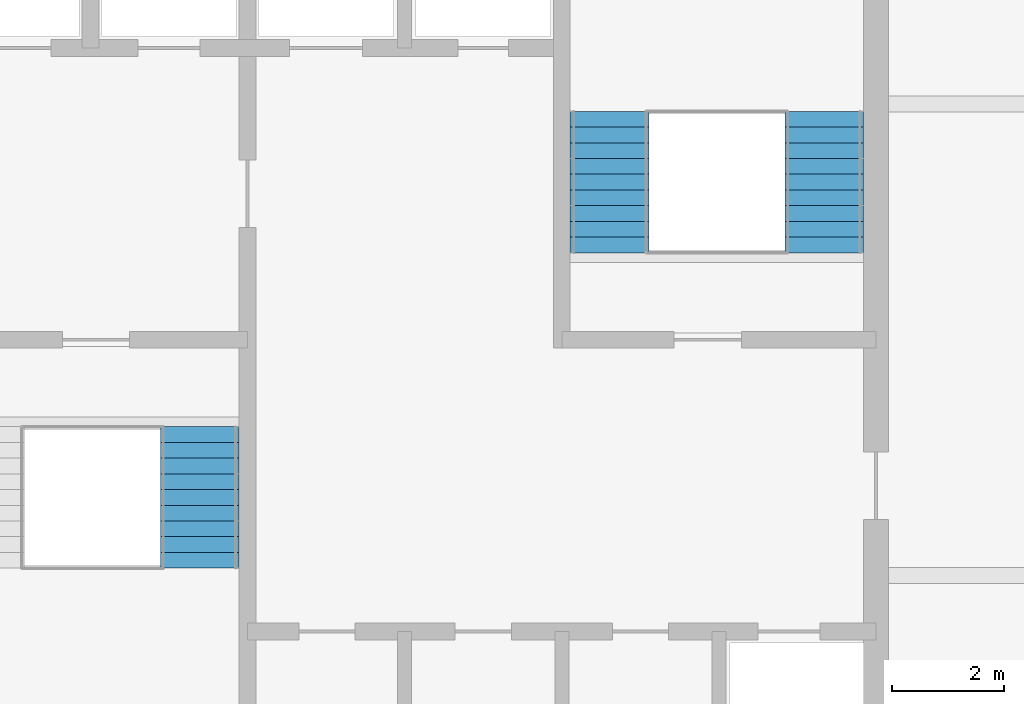
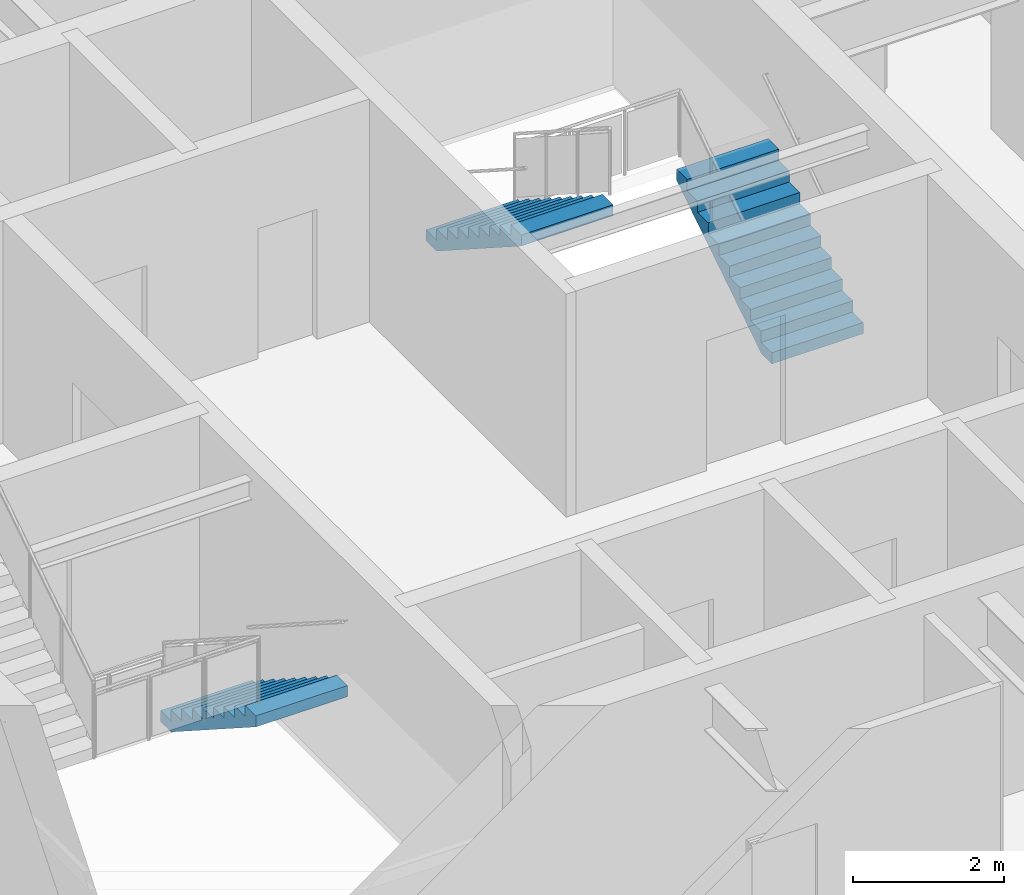
# One storey, part 9 of 10: 3 stair flights, 2 elements without a shape of their own.
"""IFC4 building model written with IfcOpenShell, lengths in metres."""

import ifcopenshell
import ifcopenshell.guid

model = None  # the IFC model being written
_history = None  # IfcOwnerHistory: only IFC2X3 demands one
_inside = {}  # id of a spatial element -> (the spatial element, [elements in it])
_under = {}  # id of a project, library or spatial element -> (it, [spatial elements below it])
_declared = {}  # id of a project -> (the project, [libraries it declares])
_typed = {}  # id of a type object -> (the type object, [elements of that type])
_made_of = {}  # id of a material, layer set ... -> (it, [elements and type objects made of it])


def new_model(schema):
    """Start an empty IFC model of exactly this schema.

    Asked for "IFC4X3", IfcOpenShell would pick the latest addendum, in which some entities
    have other attributes; the version numbers below select the first issue.
    IFC2X3 requires an IfcOwnerHistory on every rooted entity: one is made here for all.
    """
    global model, _history
    if schema == "IFC4X3":
        model = ifcopenshell.file(schema_version=(4, 3, 0, 0))
    else:
        model = ifcopenshell.file(schema=schema)
    _inside.clear()
    _under.clear()
    _declared.clear()
    _typed.clear()
    _made_of.clear()
    _history = None
    if model.schema == "IFC2X3":
        org = make("IfcOrganization", Name="unknown")
        user = make(
            "IfcPersonAndOrganization",
            ThePerson=make("IfcPerson", FamilyName="unknown"),
            TheOrganization=org,
        )
        app = make(
            "IfcApplication",
            ApplicationDeveloper=org,
            Version="unknown",
            ApplicationFullName="unknown",
            ApplicationIdentifier="unknown",
        )
        _history = make(
            "IfcOwnerHistory",
            OwningUser=user,
            OwningApplication=app,
            ChangeAction="ADDED",
            CreationDate=0,
        )
    return model


def make(cls, **values):
    """One entity of the class cls with the attributes given. An attribute that is None is left unset."""
    return model.create_entity(
        cls, **{name: value for name, value in values.items() if value is not None}
    )


def rooted(cls, **values):
    """An entity with a GlobalId (a new one), such as an element, a storey or a relation."""
    return make(cls, GlobalId=ifcopenshell.guid.new(), OwnerHistory=_history, **values)


def si_unit(unit_type, name, prefix=None):
    """IfcSIUnit, for example si_unit("LENGTHUNIT", "METRE", prefix="MILLI")."""
    return make("IfcSIUnit", UnitType=unit_type, Prefix=prefix, Name=name)


def assignment(units):
    """IfcUnitAssignment: the units of a project."""
    return None if units is None else make("IfcUnitAssignment", Units=units)


def point(xyz):
    """IfcCartesianPoint."""
    return None if xyz is None else make("IfcCartesianPoint", Coordinates=xyz)


def direction(xyz):
    """IfcDirection."""
    return None if xyz is None else make("IfcDirection", DirectionRatios=xyz)


def frame(location, z_axis=None, x_axis=None):
    """IfcAxis2Placement3D, a coordinate frame: its origin and axes. An axis left out is left unset."""
    return make(
        "IfcAxis2Placement3D",
        Location=point(location),
        Axis=direction(z_axis),
        RefDirection=direction(x_axis),
    )


def origin():
    """The frame at (0, 0, 0) with its axes left unset."""
    return frame((0.0, 0.0, 0.0))


def place(relative_to, where):
    """IfcLocalPlacement: puts the frame where relative to a parent placement (None: the world)."""
    return make(
        "IfcLocalPlacement", PlacementRelTo=relative_to, RelativePlacement=where
    )


def context(
    kind, dimensions, precision=None, world=None, true_north=None, identifier=None
):
    """IfcGeometricRepresentationContext, for example the 3D "Model" context."""
    return make(
        "IfcGeometricRepresentationContext",
        ContextIdentifier=identifier,
        ContextType=kind,
        CoordinateSpaceDimension=dimensions,
        Precision=precision,
        WorldCoordinateSystem=world,
        TrueNorth=true_north,
    )


def subcontext(parent, identifier, kind, view, scale=None):
    """IfcGeometricRepresentationSubContext, for example "Body" below "Model"."""
    return make(
        "IfcGeometricRepresentationSubContext",
        ContextIdentifier=identifier,
        ContextType=kind,
        ParentContext=parent,
        TargetScale=scale,
        TargetView=view,
    )


def project(units=None, contexts=None):
    """IfcProject with its units and contexts."""
    return rooted(
        "IfcProject",
        Name="project",
        RepresentationContexts=contexts,
        UnitsInContext=assignment(units),
    )


def spatial(cls, under=None, at=None, **own):
    """A site, building, storey or space (cls), placed at a placement, below another one or the project."""
    s = rooted(cls, ObjectPlacement=at, **own)
    if under is not None:
        _under.setdefault(under.id(), (under, []))[1].append(s)
    return s


def polyline(points):
    """IfcPolyline through the points."""
    return make("IfcPolyline", Points=[point(p) for p in points])


def outline(outer, holes=None, kind="AREA"):
    """IfcArbitraryClosedProfileDef: a profile drawn as a closed curve; with holes, ...WithVoids."""
    if holes is None:
        return make("IfcArbitraryClosedProfileDef", ProfileType=kind, OuterCurve=outer)
    return make(
        "IfcArbitraryProfileDefWithVoids",
        ProfileType=kind,
        OuterCurve=outer,
        InnerCurves=holes,
    )


def extrude(swept, where, along, depth):
    """IfcExtrudedAreaSolid: the profile swept, set in the frame where, extruded along a direction by depth."""
    return make(
        "IfcExtrudedAreaSolid",
        SweptArea=swept,
        Position=where,
        ExtrudedDirection=direction(along),
        Depth=depth,
    )


def shape(context_of_items, identifier, shape_type, items):
    """IfcShapeRepresentation: the items that make up one representation, for example the "Body"."""
    return make(
        "IfcShapeRepresentation",
        ContextOfItems=context_of_items,
        RepresentationIdentifier=identifier,
        RepresentationType=shape_type,
        Items=items,
    )


def material(Name=None, Category=None):
    """IfcMaterial."""
    return make("IfcMaterial", Name=Name, Category=Category)


def made_of(thing, what):
    """Note that an element or type object is made of a material, layer set ...; save() writes the relation."""
    if what is not None:
        _made_of.setdefault(what.id(), (what, []))[1].append(thing)
    return thing


def type_object(cls, material=None, **own):
    """A type object (cls), such as IfcWallType, which elements share."""
    return made_of(rooted(cls, **own), material)


def element(
    cls,
    number,
    at=None,
    inside=None,
    cuts=None,
    type_object=None,
    material=None,
    context=None,
    identifier="Body",
    shape_type=None,
    held_by="IfcProductDefinitionShape",
    body=None,
    shapes=None,
    **own,
):
    """One element of the class cls, such as IfcWall. Its Tag is "e" and its number.

    at: its placement. inside: the storey or other place that contains it. cuts: it is an
    opening in that element (IfcRelVoidsElement). A single representation is given by context,
    identifier, shape_type and body (its items); several are given by shapes. held_by: the class
    of the entity that holds the representations. save() writes the other relations.
    """
    e = rooted(cls, Tag="e%d" % number, ObjectPlacement=at, **own)
    if body is not None:
        shapes = [shape(context, identifier, shape_type, body)]
    if shapes is not None:
        e.Representation = make(held_by, Representations=shapes)
    if inside is not None:
        _inside.setdefault(inside.id(), (inside, []))[1].append(e)
    if cuts is not None:
        rooted(
            "IfcRelVoidsElement", RelatingBuildingElement=cuts, RelatedOpeningElement=e
        )
    if type_object is not None:
        _typed.setdefault(type_object.id(), (type_object, []))[1].append(e)
    return made_of(e, material)


def aggregate(whole, parts):
    """IfcRelAggregates: a whole, such as a stair, and the parts it consists of."""
    return rooted("IfcRelAggregates", RelatingObject=whole, RelatedObjects=parts)


def save(model, path):
    """Write the relations noted so far, then the file.

    IfcRelAggregates (storeys below a building ...), IfcRelContainedInSpatialStructure (elements
    in a storey), IfcRelDefinesByType, IfcRelAssociatesMaterial and IfcRelDeclares: one each for
    every whole, place, type object, material and project.
    """
    for whole, parts in _under.values():
        aggregate(whole, parts)
    for where, things in _inside.values():
        rooted(
            "IfcRelContainedInSpatialStructure",
            RelatedElements=things,
            RelatingStructure=where,
        )
    for kind, things in _typed.values():
        rooted("IfcRelDefinesByType", RelatedObjects=things, RelatingType=kind)
    for what, things in _made_of.values():
        rooted("IfcRelAssociatesMaterial", RelatedObjects=things, RelatingMaterial=what)
    for by, libraries in _declared.values():
        rooted("IfcRelDeclares", RelatingContext=by, RelatedDefinitions=libraries)
    model.write(path)


model = new_model("IFC4")

# Units and contexts
model_context = context("Model", 3, precision=1e-05, world=origin(), true_north=direction((0.0, 1.0)))
body_context = subcontext(model_context, "Body", "Model", "MODEL_VIEW")
ifc_project = project(units=[si_unit("LENGTHUNIT", "METRE"), si_unit("AREAUNIT", "SQUARE_METRE"), si_unit("VOLUMEUNIT", "CUBIC_METRE"), si_unit("PLANEANGLEUNIT", "RADIAN"), si_unit("MASSUNIT", "GRAM", prefix="KILO")], contexts=[model_context])

# Site, building, storey
site_placement = place(None, origin())
site = spatial("IfcSite", under=ifc_project, at=site_placement, CompositionType="ELEMENT")
building_placement = place(site_placement, origin())
building = spatial("IfcBuilding", under=site, at=building_placement, Name="Torre Alcanfor", CompositionType="ELEMENT")
storey_placement = place(building_placement, frame((0.0, 0.0, 297.300048828125)))
storey = spatial("IfcBuildingStorey", under=building, at=storey_placement, Name="L78", CompositionType="ELEMENT", Elevation=297.300048828125)

# Stair, stair flight
ifc_material_1 = material(Name="Concrete f'c 35 MPa", Category="concrete")
stair_type_1 = type_object("IfcStairType", Name="Exit stair S1 1400 wide", PredefinedType="HALF_TURN_STAIR", material=ifc_material_1)
stair_1_placement = place(storey_placement, origin())
stair_1 = element("IfcStair", 1, at=stair_1_placement, inside=storey, type_object=stair_type_1, Name="Stair S1 L78 to L79", PredefinedType="HALF_TURN_STAIR")
ifc_material_2 = material(Name="Concrete f'c 35 MPa", Category="concrete")
stair_flight_type = type_object("IfcStairFlightType", Name="Stair flight 1400", PredefinedType="STRAIGHT", material=ifc_material_2)
stair_flight_1_placement = place(storey_placement, frame((25.75, 27.85009765625, 0.0), z_axis=(0.0, 0.0, 1.0), x_axis=(0.0, -1.0, 0.0)))
stair_flight_1 = element("IfcStairFlight", 2, at=stair_flight_1_placement, type_object=stair_flight_type, Name="S1 flight 1", NumberOfRisers=10, NumberOfTreads=9, PredefinedType="STRAIGHT", RiserHeight=0.18, TreadLength=0.28, context=body_context, shape_type="SweptSolid", body=[
    extrude(outline(polyline([(0.0, 0.0), (0.0, 0.179931640625), (0.280029296875, 0.179931640625), (0.280029296875, 0.360107421875), (0.56005859375, 0.360107421875), (0.56005859375, 0.5400390625), (0.840087890625, 0.5400390625), (0.840087890625, 0.719970703125), (1.1201171875, 0.719970703125), (1.1201171875, 0.89990234375), (1.39990234375, 0.89990234375), (1.39990234375, 1.080078125), (1.679931640625, 1.080078125), (1.679931640625, 1.260009765625), (1.9599609375, 1.260009765625), (1.9599609375, 1.43994140625), (2.239990234375, 1.43994140625), (2.239990234375, 1.6201171875), (2.52001953125, 1.6201171875), (2.52001953125, 1.800048828125), (2.52001953125, 1.44189453125), (0.277099609375, 0.0), (0.0, 0.0)])), frame((0.0, 0.699951171875, 0.0), z_axis=(0.0, -1.0, 0.0), x_axis=(1.0, 0.0, 0.0)), (0.0, 0.0, 1.0), 1.39990234375),
])
aggregate(stair_1, [stair_flight_1])

# Stair, stair flights
ifc_material_3 = material(Name="Concrete f'c 35 MPa", Category="concrete")
stair_type_2 = type_object("IfcStairType", Name="Exit stair S2 1400 wide", PredefinedType="HALF_TURN_STAIR", material=ifc_material_3)
stair_2_placement = place(storey_placement, origin())
stair_2 = element("IfcStair", 3, at=stair_2_placement, inside=storey, type_object=stair_type_2, Name="Stair S2 L78 to L79", PredefinedType="HALF_TURN_STAIR")
stair_flight_2_placement = place(storey_placement, frame((36.875, 30.949951171875, 0.0), z_axis=(0.0, 0.0, 1.0), x_axis=(0.0, 1.0, 0.0)))
stair_flight_2 = element("IfcStairFlight", 4, at=stair_flight_2_placement, type_object=stair_flight_type, Name="S2 flight 1", NumberOfRisers=10, NumberOfTreads=9, PredefinedType="STRAIGHT", RiserHeight=0.18, TreadLength=0.28, context=body_context, shape_type="SweptSolid", body=[
    extrude(outline(polyline([(0.0, 0.0), (0.0, 0.179931640625), (0.280029296875, 0.179931640625), (0.280029296875, 0.360107421875), (0.56005859375, 0.360107421875), (0.56005859375, 0.5400390625), (0.840087890625, 0.5400390625), (0.840087890625, 0.719970703125), (1.1201171875, 0.719970703125), (1.1201171875, 0.89990234375), (1.39990234375, 0.89990234375), (1.39990234375, 1.080078125), (1.679931640625, 1.080078125), (1.679931640625, 1.260009765625), (1.9599609375, 1.260009765625), (1.9599609375, 1.43994140625), (2.239990234375, 1.43994140625), (2.239990234375, 1.6201171875), (2.52001953125, 1.6201171875), (2.52001953125, 1.800048828125), (2.52001953125, 1.44189453125), (0.277099609375, 0.0), (0.0, 0.0)])), frame((0.0, 0.699951171875, 0.0), z_axis=(0.0, -1.0, 0.0), x_axis=(1.0, 0.0, 0.0)), (0.0, 0.0, 1.0), 1.39990234375),
])
stair_flight_3_placement = place(storey_placement, frame((33.050048828125, 33.469970703125, 1.800048828125), z_axis=(0.0, 0.0, 1.0), x_axis=(0.0, -1.0, 0.0)))
stair_flight_3 = element("IfcStairFlight", 5, at=stair_flight_3_placement, type_object=stair_flight_type, Name="S2 flight 2", NumberOfRisers=10, NumberOfTreads=9, PredefinedType="STRAIGHT", RiserHeight=0.18, TreadLength=0.28, context=body_context, shape_type="SweptSolid", body=[
    extrude(outline(polyline([(0.0, 0.0), (0.0, 0.179931640625), (0.280029296875, 0.179931640625), (0.280029296875, 0.360107421875), (0.56005859375, 0.360107421875), (0.56005859375, 0.5400390625), (0.840087890625, 0.5400390625), (0.840087890625, 0.719970703125), (1.1201171875, 0.719970703125), (1.1201171875, 0.89990234375), (1.39990234375, 0.89990234375), (1.39990234375, 1.080078125), (1.679931640625, 1.080078125), (1.679931640625, 1.260009765625), (1.9599609375, 1.260009765625), (1.9599609375, 1.43994140625), (2.239990234375, 1.43994140625), (2.239990234375, 1.6201171875), (2.52001953125, 1.6201171875), (2.52001953125, 1.800048828125), (2.52001953125, 1.44189453125), (0.277099609375, 0.0), (0.0, 0.0)])), frame((0.0, 0.699951171875, 0.0), z_axis=(0.0, -1.0, 0.0), x_axis=(1.0, 0.0, 0.0)), (0.0, 0.0, 1.0), 1.39990234375),
])
aggregate(stair_2, [stair_flight_2, stair_flight_3])

save(model, "model.ifc")
